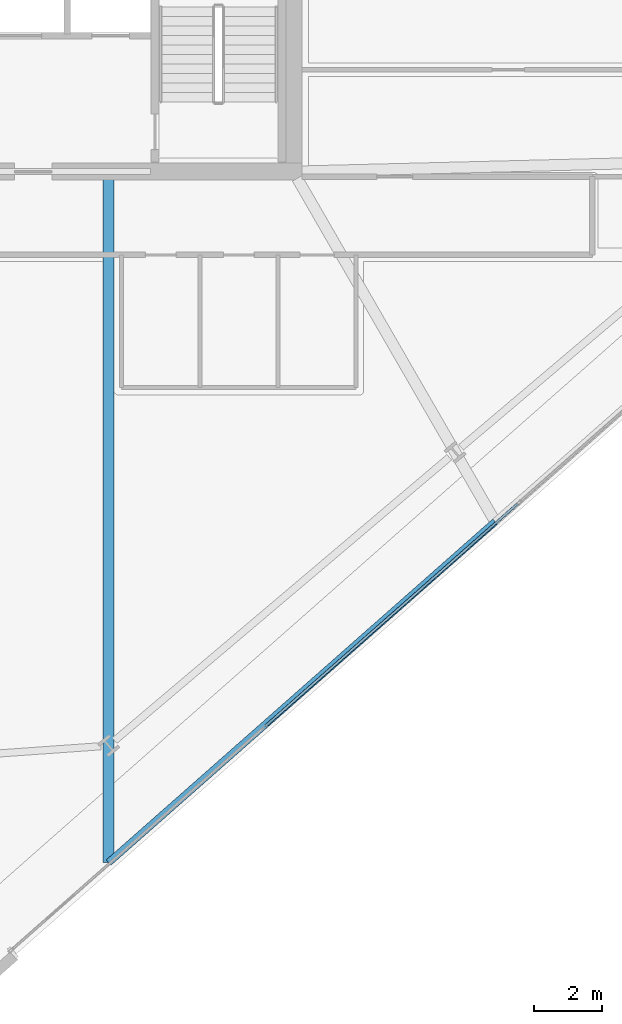
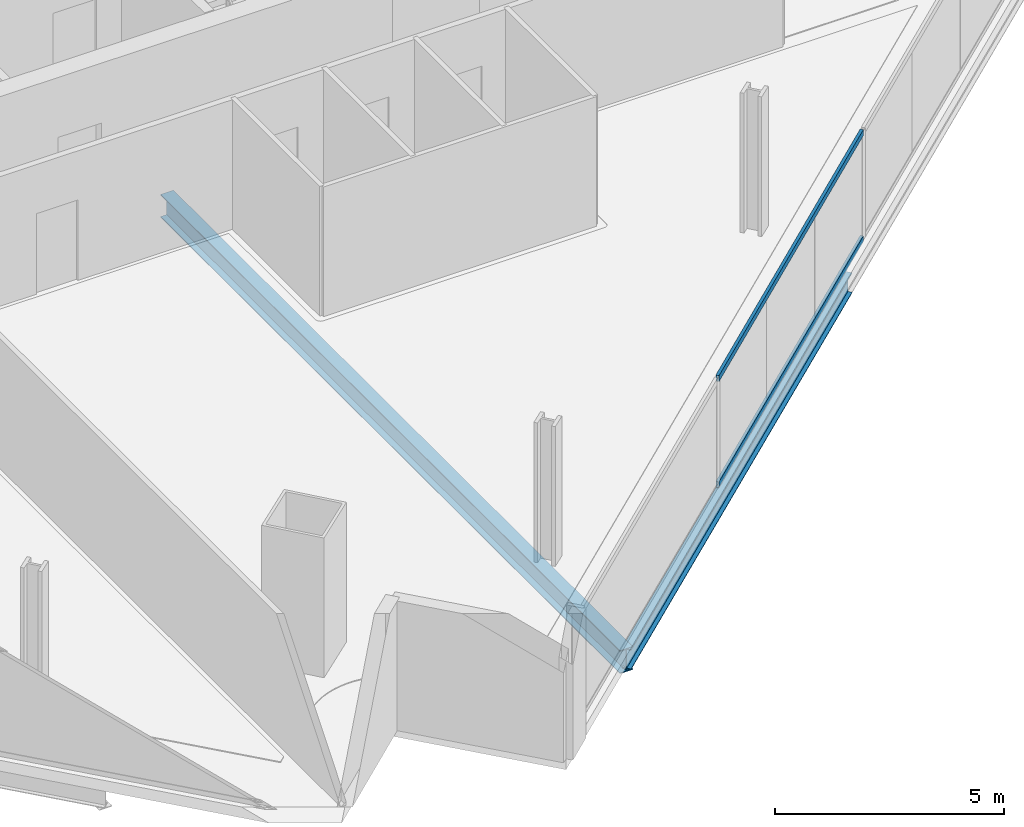
# One storey, part 8 of 34: 2 beams, 2 members, 1 element without a shape of its own.
"""IFC4 building model written with IfcOpenShell, lengths in metres."""

from ifc_helpers import new_model, si_unit, direction, frame, origin, origin_2d, place, context, subcontext, project, spatial, hollow_rectangle, i_section, extrude, material, material_profile, profile_set, type_object, element, aggregate, save


model = new_model("IFC4")

# Units and contexts
model_context = context("Model", 3, precision=1e-05, world=origin(), true_north=direction((0.0, 1.0)))
body_context = subcontext(model_context, "Body", "Model", "MODEL_VIEW")
ifc_project = project(units=[si_unit("LENGTHUNIT", "METRE"), si_unit("AREAUNIT", "SQUARE_METRE"), si_unit("VOLUMEUNIT", "CUBIC_METRE"), si_unit("PLANEANGLEUNIT", "RADIAN"), si_unit("MASSUNIT", "GRAM", prefix="KILO")], contexts=[model_context])

# Site, building, storey
site_placement = place(None, origin())
site = spatial("IfcSite", under=ifc_project, at=site_placement, CompositionType="ELEMENT")
building_placement = place(site_placement, origin())
building = spatial("IfcBuilding", under=site, at=building_placement, Name="Haldenkirk Collegiate Tower", CompositionType="ELEMENT")
storey_placement = place(building_placement, frame((0.0, 0.0, 166.949951171875)))
storey = spatial("IfcBuildingStorey", under=building, at=storey_placement, Name="L41", CompositionType="ELEMENT", Elevation=166.949951171875)

# Beams
ifc_material_1 = material(Name="Steel ASTM A992 Grade 50", Category="steel")
ifc_material_profile_1 = material_profile(ifc_material_1, i_section(OverallWidth=0.324951171875, OverallDepth=0.615966796875, WebThickness=0.013916015625, FlangeThickness=0.021484375, at=origin_2d()), Name="W24X117")
ifc_profile_set_1 = profile_set([ifc_material_profile_1], Name="Steel ASTM A992 Grade 50")
beam_type_1 = type_object("IfcBeamType", Name="BM-GIRDER-W24X117", PredefinedType="BEAM", material=ifc_profile_set_1)
beam_1_placement = place(storey_placement, frame((39.568603515625, -2.322509765625, -0.597900390625), z_axis=(0.0, 1.0, 0.0), x_axis=(-1.0, 0.0, 0.0)))
element("IfcBeam", 1, at=beam_1_placement, inside=storey, type_object=beam_type_1, Name="L41 primary floor girder 05", PredefinedType="BEAM", context=body_context, shape_type="SweptSolid", body=[
    extrude(i_section(OverallWidth=0.324951171875, OverallDepth=0.615966796875, WebThickness=0.013916015625, FlangeThickness=0.021484375, at=origin_2d()), origin(), (0.0, 0.0, 1.0), 20.092529296875),
])
ifc_material_profile_2 = material_profile(ifc_material_1, i_section(OverallWidth=0.2119140625, OverallDepth=0.5439453125, WebThickness=0.01318359375, FlangeThickness=0.021240234375, at=origin_2d()), Name="W21X83")
ifc_profile_set_2 = profile_set([ifc_material_profile_2], Name="Steel ASTM A992 Grade 50")
beam_type_2 = type_object("IfcBeamType", Name="BM-SPANDREL-W21X83", PredefinedType="SPANDREL", material=ifc_profile_set_2)
beam_2_placement = place(storey_placement, frame((39.568603515625, -2.322509765625, -0.56201171875), z_axis=(0.750106163774, 0.661317429884, 0.0), x_axis=(-0.661317429884, 0.750106163774, 0.0)))
element("IfcBeam", 2, at=beam_2_placement, inside=storey, type_object=beam_type_2, Name="L41 outer facade edge beam 1A", PredefinedType="SPANDREL", context=body_context, shape_type="SweptSolid", body=[
    extrude(i_section(OverallWidth=0.2119140625, OverallDepth=0.5439453125, WebThickness=0.01318359375, FlangeThickness=0.021240234375, at=origin_2d()), origin(), (0.0, 0.0, 1.0), 15.158935546875),
])

# Curtain wall, members
ifc_material_2 = material(Name="Anodised architectural bronze aluminium", Category="aluminium")
curtain_wall_type = type_object("IfcCurtainWallType", Name="CW-SYS2-CONCAVE", PredefinedType="USERDEFINED", material=ifc_material_2)
curtain_wall_placement = place(storey_placement, origin())
curtain_wall = element("IfcCurtainWall", 3, at=curtain_wall_placement, inside=storey, type_object=curtain_wall_type, Name="L41 South concave recessed bronze-anodised curtain wall", ObjectType="UNITISED CURTAIN WALL", PredefinedType="USERDEFINED")
ifc_material_profile_3 = material_profile(ifc_material_2, hollow_rectangle(XDim=0.074951171875, YDim=0.159912109375, WallThickness=0.0048828125, at=origin_2d()), Name="CW-TRN-02")
ifc_profile_set_3 = profile_set([ifc_material_profile_3], Name="Anodised architectural bronze aluminium")
member_type = type_object("IfcMemberType", Name="CW-TRN-02", PredefinedType="USERDEFINED", material=ifc_profile_set_3)
member_1_placement = place(storey_placement, frame((51.608642578125, 8.23876953125, 0.03759765625), z_axis=(-0.750113427269, -0.661309191098, 0.0), x_axis=(0.661309191098, -0.750113427269, 0.0)))
member_1 = element("IfcMember", 4, at=member_1_placement, type_object=member_type, Name="CW-02 transom 3.1", ObjectType="TRANSOM", PredefinedType="USERDEFINED", context=body_context, shape_type="SweptSolid", body=[
    extrude(hollow_rectangle(XDim=0.074951171875, YDim=0.159912109375, WallThickness=0.0048828125, at=origin_2d()), origin(), (0.0, 0.0, 1.0), 9.89990234375),
])
member_2_placement = place(storey_placement, frame((51.608642578125, 8.23876953125, 2.87353515625), z_axis=(-0.750113427269, -0.661309191098, 0.0), x_axis=(0.661309191098, -0.750113427269, 0.0)))
member_2 = element("IfcMember", 5, at=member_2_placement, type_object=member_type, Name="CW-02 transom 3.2", ObjectType="TRANSOM", PredefinedType="USERDEFINED", context=body_context, shape_type="SweptSolid", body=[
    extrude(hollow_rectangle(XDim=0.074951171875, YDim=0.159912109375, WallThickness=0.0048828125, at=origin_2d()), origin(), (0.0, 0.0, 1.0), 9.89990234375),
])
aggregate(curtain_wall, [member_1, member_2])

save(model, "model.ifc")
